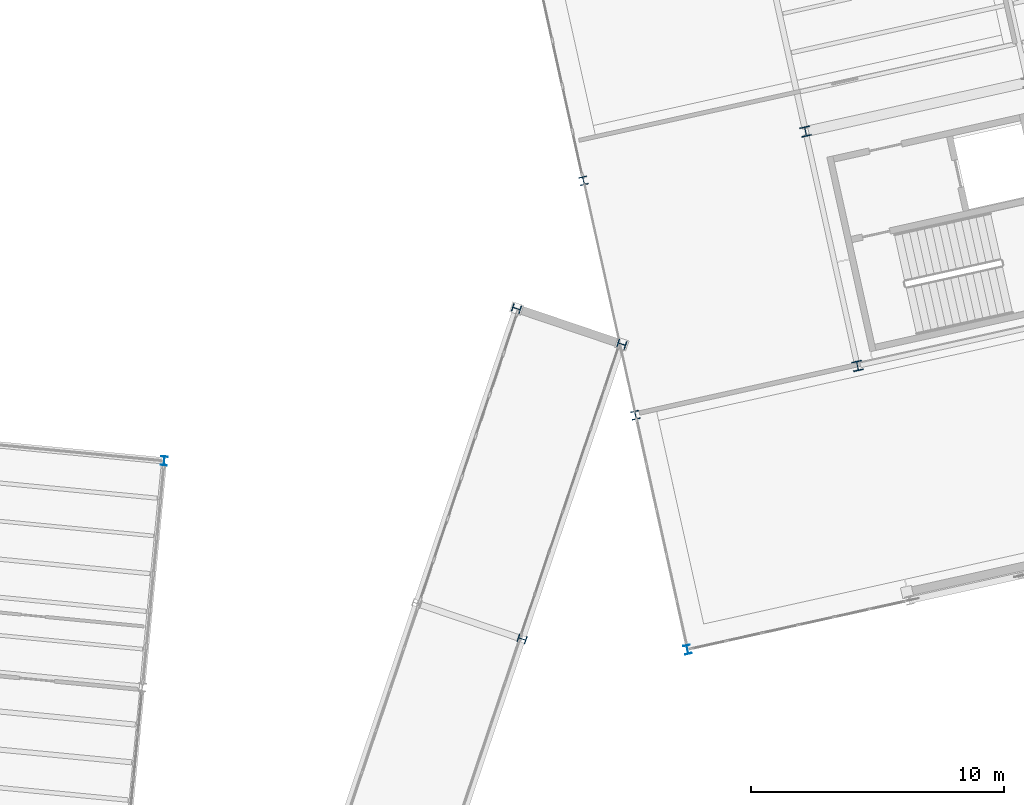
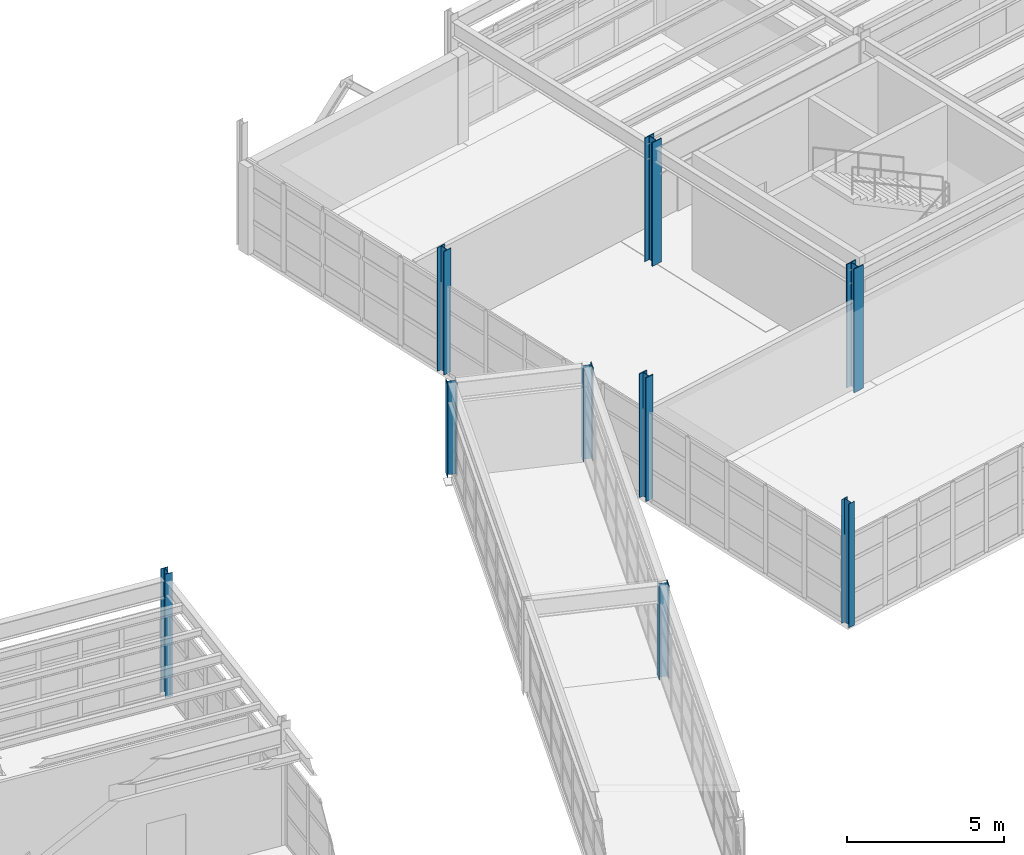
# One storey, part 13 of 102: 9 columns.
"""IFC4 building model written with IfcOpenShell, lengths in metres."""

from ifc_helpers import new_model, si_unit, direction, frame, origin, origin_2d, place, context, subcontext, project, spatial, i_section, extrude, material, material_profile, profile_set, type_object, element, save


model = new_model("IFC4")

# Units and contexts
model_context = context("Model", 3, precision=1e-05, world=origin(), true_north=direction((0.0, 1.0)))
body_context = subcontext(model_context, "Body", "Model", "MODEL_VIEW")
ifc_project = project(units=[si_unit("LENGTHUNIT", "METRE"), si_unit("AREAUNIT", "SQUARE_METRE"), si_unit("VOLUMEUNIT", "CUBIC_METRE"), si_unit("PLANEANGLEUNIT", "RADIAN"), si_unit("MASSUNIT", "GRAM", prefix="KILO")], contexts=[model_context])

# Site, building, storey
site_placement = place(None, origin())
site = spatial("IfcSite", under=ifc_project, at=site_placement, CompositionType="ELEMENT")
building_placement = place(site_placement, origin())
building = spatial("IfcBuilding", under=site, at=building_placement, Name="Vireo Bluff Cable Station", CompositionType="ELEMENT")
storey_placement = place(building_placement, frame((0.0, 0.0, 9.60009765625)))
storey = spatial("IfcBuildingStorey", under=building, at=storey_placement, Name="L02", CompositionType="ELEMENT", Elevation=9.60009765625)

# Columns
ifc_material = material(Name="Steel ASTM A992 Gr. 50", Category="steel")
ifc_material_profile_1 = material_profile(ifc_material, i_section(OverallWidth=0.39599609375, OverallDepth=0.381103515625, WebThickness=0.018798828125, FlangeThickness=0.0302734375, FilletRadius=0.014892578125, at=origin_2d()), Name="W14X159")
ifc_profile_set_1 = profile_set([ifc_material_profile_1], Name="Steel ASTM A992 Gr. 50")
column_type_1 = type_object("IfcColumnType", Name="COL-W14X159", PredefinedType="COLUMN", material=ifc_profile_set_1)
for number, where, z_axis, x_axis, name in (
    (1, (132.73046875, 85.22265625, 0.0), (0.0, 0.0, 1.0), (0.97629600712, 0.216439613938, 0.0), "V2 L02 column 140"),
    (2, (130.67431640625, 94.49755859375, 0.0), (0.0, 0.0, 1.0), (0.97629600712, 0.216439613938, 0.0), "V2 L02 column 144"),
):
    element("IfcColumn", number, at=place(storey_placement, frame(where, z_axis=z_axis, x_axis=x_axis)), inside=storey, type_object=column_type_1, Name=name, PredefinedType="COLUMN", context=body_context, shape_type="SweptSolid", body=[
        extrude(i_section(OverallWidth=0.39599609375, OverallDepth=0.381103515625, WebThickness=0.018798828125, FlangeThickness=0.0302734375, FilletRadius=0.014892578125, at=origin_2d()), origin(), (0.0, 0.0, 1.0), 4.7998046875),
    ])
ifc_material_profile_2 = material_profile(ifc_material, i_section(OverallWidth=0.31298828125, OverallDepth=0.3330078125, WebThickness=0.01806640625, FlangeThickness=0.028076171875, FilletRadius=0.012939453125, at=origin_2d()), Name="W12X120")
ifc_profile_set_2 = profile_set([ifc_material_profile_2], Name="Steel ASTM A992 Gr. 50")
column_type_2 = type_object("IfcColumnType", Name="ECOL-W12X120", PredefinedType="COLUMN", material=ifc_profile_set_2)
column_1_placement = place(storey_placement, frame((123.94384765625, 83.27490234375, 0.0), z_axis=(0.0, 0.0, 1.0), x_axis=(0.97629600712, 0.216439613938, 0.0)))
element("IfcColumn", 3, at=column_1_placement, inside=storey, type_object=column_type_2, Name="V2 L02 column 128", PredefinedType="COLUMN", context=body_context, shape_type="SweptSolid", body=[
    extrude(i_section(OverallWidth=0.31298828125, OverallDepth=0.3330078125, WebThickness=0.01806640625, FlangeThickness=0.028076171875, FilletRadius=0.012939453125, at=origin_2d()), origin(), (0.0, 0.0, 1.0), 4.7998046875),
])
for number, where, z_axis, x_axis, name in (
    (4, (119.45947265625, 74.4189453125, 0.0), (0.0, 0.0, 1.0), (0.32035190998, 0.947298608556, 0.0), "HAUL-DRIVE skybridge column 3L L02"),
    (5, (123.40478515625, 86.085693359375, 0.0), (0.0, 0.0, 1.0), (0.32035190998, 0.947298608556, 0.0), "HAUL-DRIVE skybridge column 4L L02"),
    (6, (119.236572265625, 87.4951171875, 0.0), (0.0, 0.0, 1.0), (0.32035190998, 0.947298608556, 0.0), "HAUL-DRIVE skybridge column 4R L02"),
):
    element("IfcColumn", number, at=place(storey_placement, frame(where, z_axis=z_axis, x_axis=x_axis)), inside=storey, type_object=column_type_2, Name=name, PredefinedType="COLUMN", context=body_context, shape_type="SweptSolid", body=[
        extrude(i_section(OverallWidth=0.31298828125, OverallDepth=0.3330078125, WebThickness=0.01806640625, FlangeThickness=0.028076171875, FilletRadius=0.012939453125, at=origin_2d()), origin(), (0.0, 0.0, 1.0), 3.6298828125),
    ])
ifc_material_profile_3 = material_profile(ifc_material, i_section(OverallWidth=0.30908203125, OverallDepth=0.322998046875, WebThickness=0.013916015625, FlangeThickness=0.02294921875, FilletRadius=0.012939453125, at=origin_2d()), Name="W12X96")
ifc_profile_set_3 = profile_set([ifc_material_profile_3], Name="Steel ASTM A992 Gr. 50")
column_type_3 = type_object("IfcColumnType", Name="ECOL-W12X96", PredefinedType="COLUMN", material=ifc_profile_set_3)
column_2_placement = place(storey_placement, frame((121.8876953125, 92.549560546875, 0.0), z_axis=(0.0, 0.0, 1.0), x_axis=(0.97629600712, 0.216439613938, 0.0)))
element("IfcColumn", 7, at=column_2_placement, inside=storey, type_object=column_type_3, Name="V2 L02 column 131", PredefinedType="COLUMN", context=body_context, shape_type="SweptSolid", body=[
    extrude(i_section(OverallWidth=0.30908203125, OverallDepth=0.322998046875, WebThickness=0.013916015625, FlangeThickness=0.02294921875, FilletRadius=0.012939453125, at=origin_2d()), origin(), (0.0, 0.0, 1.0), 4.7998046875),
])
ifc_material_profile_4 = material_profile(ifc_material, i_section(OverallWidth=0.25390625, OverallDepth=0.35302734375, WebThickness=0.009521484375, FlangeThickness=0.016357421875, FilletRadius=0.011962890625, at=origin_2d()), Name="W14X61")
ifc_profile_set_4 = profile_set([ifc_material_profile_4], Name="Steel ASTM A992 Gr. 50")
column_type_4 = type_object("IfcColumnType", Name="PIL-W14X61", PredefinedType="PILASTER", material=ifc_profile_set_4)
for number, where, z_axis, x_axis, name in (
    (8, (126.0, 74.0, 0.0), (0.0, 0.0, 1.0), (0.97629600712, 0.216439613938, 0.0), "V2 L02 column 125"),
    (9, (105.297607421875, 81.470458984375, 0.0), (0.0, 0.0, 1.0), (0.995396198367, -0.09584575252, 0.0), "V3 L02 column 245"),
):
    element("IfcColumn", number, at=place(storey_placement, frame(where, z_axis=z_axis, x_axis=x_axis)), inside=storey, type_object=column_type_4, Name=name, PredefinedType="PILASTER", context=body_context, shape_type="SweptSolid", body=[
        extrude(i_section(OverallWidth=0.25390625, OverallDepth=0.35302734375, WebThickness=0.009521484375, FlangeThickness=0.016357421875, FilletRadius=0.011962890625, at=origin_2d()), origin(), (0.0, 0.0, 1.0), 4.7998046875),
    ])

save(model, "model.ifc")
